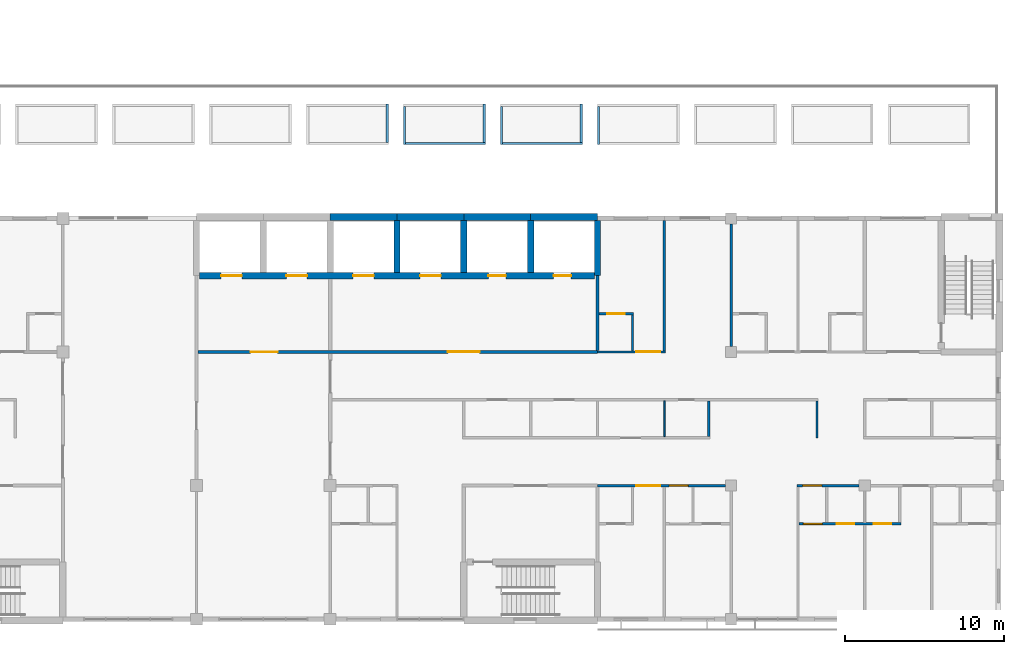
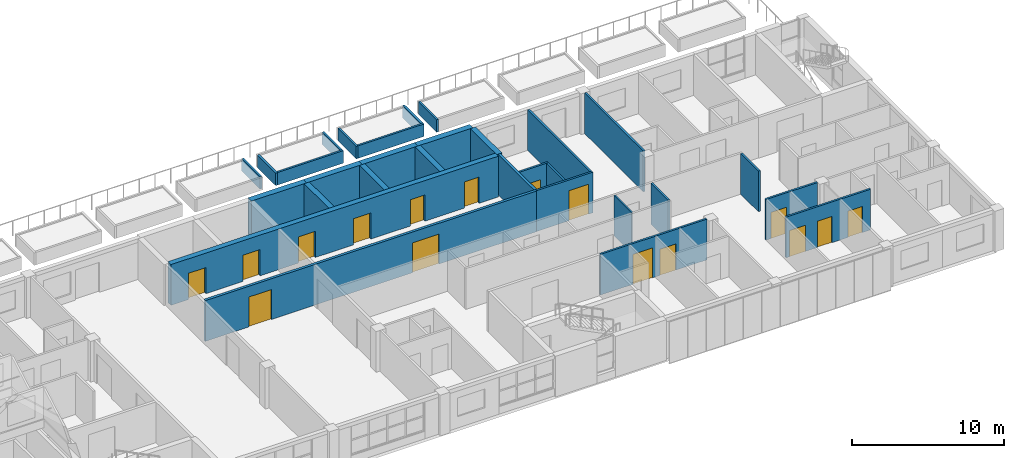
# One storey, part 45 of 61: 30 walls, 16 doors, 16 openings.
"""IFC4 building model written with IfcOpenShell, lengths in metres."""

from ifc_helpers import new_model, si_unit, direction, frame, frame_2d, origin, place, context, subcontext, project, spatial, rectangle, extrude, material, layer, layer_set, type_object, element, fill, save


model = new_model("IFC4")

# Units and contexts
model_context = context("Model", 3, precision=1e-05, world=origin(), true_north=direction((0.0, 1.0)))
body_context = subcontext(model_context, "Body", "Model", "MODEL_VIEW")
ifc_project = project(units=[si_unit("LENGTHUNIT", "METRE"), si_unit("AREAUNIT", "SQUARE_METRE"), si_unit("VOLUMEUNIT", "CUBIC_METRE"), si_unit("PLANEANGLEUNIT", "RADIAN"), si_unit("MASSUNIT", "GRAM", prefix="KILO")], contexts=[model_context])

# Site, building, storey
site_placement = place(None, origin())
site = spatial("IfcSite", under=ifc_project, at=site_placement, CompositionType="ELEMENT")
building_placement = place(site_placement, origin())
building = spatial("IfcBuilding", under=site, at=building_placement, Name="Yavir Park General Hospital", CompositionType="ELEMENT")
storey_placement = place(building_placement, frame((0.0, 0.0, 15.300048828125)))
storey = spatial("IfcBuildingStorey", under=building, at=storey_placement, Name="L03", CompositionType="ELEMENT", Elevation=15.300048828125)

# Wall, openings, doors
ifc_material_1 = material(Name="Double gypsum board fire partition on steel studs", Category="steel")
ifc_layer_1 = layer(ifc_material_1, 0.199951171875)
ifc_layer_set_1 = layer_set([ifc_layer_1], Name="Double gypsum board fire partition on steel studs")
wall_type_1 = type_object("IfcWallType", Name="Fire-rated partition 200, EI 60", PredefinedType="PARTITIONING", material=ifc_layer_set_1)
wall_1_placement = place(storey_placement, frame((117.699951171875, 16.800048828125, 0.0), z_axis=(0.0, 0.0, 1.0), x_axis=(1.0, 0.0, 0.0)))
wall_1 = element("IfcWall", 1, at=wall_1_placement, inside=storey, type_object=wall_type_1, Name="FP20 L03-046", PredefinedType="PARTITIONING", context=body_context, shape_type="SweptSolid", body=[
    extrude(rectangle(XDim=25.10009765625, YDim=0.199951171875, at=frame_2d((12.550048828125, 0.0))), origin(), (0.0, 0.0, 1.0), 3.260009765625),
])
opening_1_placement = place(wall_1_placement, frame((3.300048828125, 0.0, 0.0)))
opening_1 = element("IfcOpeningElement", 2, at=opening_1_placement, cuts=wall_1, Name="Opening L03.D059", PredefinedType="OPENING", context=body_context, shape_type="SweptSolid", body=[
    extrude(rectangle(XDim=1.699951171875, YDim=2.39990234375, at=frame_2d((0.85009765625, 1.199951171875))), frame((0.0, 0.10986328125, 0.0), z_axis=(0.0, -1.0, 0.0), x_axis=(1.0, 0.0, 0.0)), (0.0, 0.0, 1.0), 0.219970703125),
])
opening_2_placement = place(wall_1_placement, frame((15.699951171875, 0.0, 0.0)))
opening_2 = element("IfcOpeningElement", 3, at=opening_2_placement, cuts=wall_1, Name="Opening L03.D060", PredefinedType="OPENING", context=body_context, shape_type="SweptSolid", body=[
    extrude(rectangle(XDim=2.0, YDim=2.39990234375, at=frame_2d((1.0, 1.199951171875))), frame((0.0, 0.10986328125, 0.0), z_axis=(0.0, -1.0, 0.0), x_axis=(1.0, 0.0, 0.0)), (0.0, 0.0, 1.0), 0.219970703125),
])
ifc_material_2 = material(Name="Steel frame, fire-resisting timber leaves", Category="steel")
door_type_1 = type_object("IfcDoorType", Name="Double fire door 1700 x 2400, EI 60", OperationType="DOUBLE_DOOR_SINGLE_SWING", PredefinedType="DOOR", material=ifc_material_2)
door_1_placement = place(opening_1_placement, origin())
door_1 = element("IfcDoor", 4, at=door_1_placement, inside=storey, type_object=door_type_1, Name="L03.D059", OperationType="SINGLE_SWING_LEFT", OverallHeight=2.39990234375, OverallWidth=1.699951171875, PredefinedType="DOOR", context=body_context, shape_type="SweptSolid", body=[
    extrude(rectangle(XDim=1.699951171875, YDim=2.39990234375, at=frame_2d((0.85009765625, 1.199951171875))), frame((0.0, 0.02490234375, 0.0), z_axis=(0.0, -1.0, 0.0), x_axis=(1.0, 0.0, 0.0)), (0.0, 0.0, 1.0), 0.050048828125),
])
fill(opening_1, door_1)
ifc_material_3 = material(Name="Steel frame, fire-resisting leaves with vision panels", Category="steel")
door_type_2 = type_object("IfcDoorType", Name="Double fire door with vision panels 2000 x 2400, EI 60", OperationType="DOUBLE_DOOR_SINGLE_SWING", PredefinedType="DOOR", material=ifc_material_3)
door_2_placement = place(opening_2_placement, origin())
door_2 = element("IfcDoor", 5, at=door_2_placement, inside=storey, type_object=door_type_2, Name="L03.D060", OperationType="SINGLE_SWING_RIGHT", OverallHeight=2.39990234375, OverallWidth=2.0, PredefinedType="DOOR", context=body_context, shape_type="SweptSolid", body=[
    extrude(rectangle(XDim=2.0, YDim=2.39990234375, at=frame_2d((1.0, 1.199951171875))), frame((0.0, 0.030029296875, 0.0), z_axis=(0.0, -1.0, 0.0), x_axis=(1.0, 0.0, 0.0)), (0.0, 0.0, 1.0), 0.06005859375),
])
fill(opening_2, door_2)

# Walls
wall_2_placement = place(storey_placement, frame((142.800048828125, 16.89990234375, 0.0), z_axis=(0.0, 0.0, 1.0), x_axis=(0.0, 1.0, 0.0)))
element("IfcWall", 6, at=wall_2_placement, inside=storey, type_object=wall_type_1, Name="FP20 L03-273", PredefinedType="PARTITIONING", context=body_context, shape_type="SweptSolid", body=[
    extrude(rectangle(XDim=4.7001953125, YDim=0.199951171875, at=frame_2d((2.35009765625, 0.0))), origin(), (0.0, 0.0, 1.0), 3.260009765625),
])
ifc_material_4 = material(Name="Gypsum board partition on steel studs", Category="steel")
ifc_layer_2 = layer(ifc_material_4, 0.10009765625)
ifc_layer_set_2 = layer_set([ifc_layer_2], Name="Gypsum board partition on steel studs")
wall_type_2 = type_object("IfcWallType", Name="Gypsum board partition 100", PredefinedType="PARTITIONING", material=ifc_layer_set_2)
wall_3_placement = place(storey_placement, frame((147.0, 11.47509765625, 0.0), z_axis=(0.0, 0.0, 1.0), x_axis=(0.0, 1.0, 0.0)))
element("IfcWall", 7, at=wall_3_placement, inside=storey, type_object=wall_type_2, Name="P10 L03-278", PredefinedType="PARTITIONING", context=body_context, shape_type="SweptSolid", body=[
    extrude(rectangle(XDim=2.25, YDim=0.10009765625, at=frame_2d((1.125, 0.0))), origin(), (0.0, 0.0, 1.0), 3.260009765625),
])

# Wall, openings, doors
ifc_material_5 = material(Name="Gypsum board partition on steel studs", Category="steel")
ifc_layer_3 = layer(ifc_material_5, 0.14990234375)
ifc_layer_set_3 = layer_set([ifc_layer_3], Name="Gypsum board partition on steel studs")
wall_type_3 = type_object("IfcWallType", Name="Gypsum board partition 150", PredefinedType="PARTITIONING", material=ifc_layer_set_3)
wall_4_placement = place(storey_placement, frame((155.47509765625, 6.0, 0.0), z_axis=(0.0, 0.0, 1.0), x_axis=(1.0, 0.0, 0.0)))
wall_4 = element("IfcWall", 8, at=wall_4_placement, inside=storey, type_object=wall_type_3, Name="P15 L03-012", PredefinedType="PARTITIONING", context=body_context, shape_type="SweptSolid", body=[
    extrude(rectangle(XDim=6.39990234375, YDim=0.14990234375, at=frame_2d((3.199951171875, 0.0))), origin(), (0.0, 0.0, 1.0), 3.260009765625),
])
opening_3_placement = place(wall_4_placement, frame((0.262451171875, 0.0, 0.0)))
opening_3 = element("IfcOpeningElement", 9, at=opening_3_placement, cuts=wall_4, Name="Opening L03.D015", PredefinedType="OPENING", context=body_context, shape_type="SweptSolid", body=[
    extrude(rectangle(XDim=1.199951171875, YDim=2.10009765625, at=frame_2d((0.60009765625, 1.050048828125))), frame((0.0, 0.0849609375, 0.0), z_axis=(0.0, -1.0, 0.0), x_axis=(1.0, 0.0, 0.0)), (0.0, 0.0, 1.0), 0.169921875),
])
opening_4_placement = place(wall_4_placement, frame((2.375, 0.0, 0.0)))
opening_4 = element("IfcOpeningElement", 10, at=opening_4_placement, cuts=wall_4, Name="Opening L03.D016", PredefinedType="OPENING", context=body_context, shape_type="SweptSolid", body=[
    extrude(rectangle(XDim=1.10009765625, YDim=2.10009765625, at=frame_2d((0.550048828125, 1.050048828125))), frame((0.0, 0.0849609375, 0.0), z_axis=(0.0, -1.0, 0.0), x_axis=(1.0, 0.0, 0.0)), (0.0, 0.0, 1.0), 0.169921875),
])
opening_5_placement = place(wall_4_placement, frame((4.675048828125, 0.0, 0.0)))
opening_5 = element("IfcOpeningElement", 11, at=opening_5_placement, cuts=wall_4, Name="Opening L03.D017", PredefinedType="OPENING", context=body_context, shape_type="SweptSolid", body=[
    extrude(rectangle(XDim=1.10009765625, YDim=2.10009765625, at=frame_2d((0.550048828125, 1.050048828125))), frame((0.0, 0.0849609375, 0.0), z_axis=(0.0, -1.0, 0.0), x_axis=(1.0, 0.0, 0.0)), (0.0, 0.0, 1.0), 0.169921875),
])
ifc_material_6 = material(Name="Sealed steel door leaf, compression seals", Category="steel")
door_type_3 = type_object("IfcDoorType", Name="Isolation airlock door 1200 x 2100", OperationType="SINGLE_SWING_LEFT", PredefinedType="DOOR", material=ifc_material_6)
door_3_placement = place(opening_3_placement, origin())
door_3 = element("IfcDoor", 12, at=door_3_placement, inside=storey, type_object=door_type_3, Name="L03.D015", OperationType="SINGLE_SWING_LEFT", OverallHeight=2.10009765625, OverallWidth=1.199951171875, PredefinedType="DOOR", context=body_context, shape_type="SweptSolid", body=[
    extrude(rectangle(XDim=1.199951171875, YDim=2.10009765625, at=frame_2d((0.60009765625, 1.050048828125))), frame((0.0, 0.050048828125, 0.0), z_axis=(0.0, -1.0, 0.0), x_axis=(1.0, 0.0, 0.0)), (0.0, 0.0, 1.0), 0.10009765625),
])
fill(opening_3, door_3)
ifc_material_7 = material(Name="Hollow metal frame, solid-core timber leaf", Category="wood")
door_type_4 = type_object("IfcDoorType", Name="Single swing door 1100 x 2100", OperationType="SINGLE_SWING_LEFT", PredefinedType="DOOR", material=ifc_material_7)
door_4_placement = place(opening_4_placement, origin())
door_4 = element("IfcDoor", 13, at=door_4_placement, inside=storey, type_object=door_type_4, Name="L03.D016", OperationType="SINGLE_SWING_RIGHT", OverallHeight=2.10009765625, OverallWidth=1.10009765625, PredefinedType="DOOR", context=body_context, shape_type="SweptSolid", body=[
    extrude(rectangle(XDim=1.10009765625, YDim=2.10009765625, at=frame_2d((0.550048828125, 1.050048828125))), frame((0.0, 0.02490234375, 0.0), z_axis=(0.0, -1.0, 0.0), x_axis=(1.0, 0.0, 0.0)), (0.0, 0.0, 1.0), 0.050048828125),
])
fill(opening_4, door_4)
door_5_placement = place(opening_5_placement, origin())
door_5 = element("IfcDoor", 14, at=door_5_placement, inside=storey, type_object=door_type_4, Name="L03.D017", OperationType="SINGLE_SWING_LEFT", OverallHeight=2.10009765625, OverallWidth=1.10009765625, PredefinedType="DOOR", context=body_context, shape_type="SweptSolid", body=[
    extrude(rectangle(XDim=1.10009765625, YDim=2.10009765625, at=frame_2d((0.550048828125, 1.050048828125))), frame((0.0, 0.02490234375, 0.0), z_axis=(0.0, -1.0, 0.0), x_axis=(1.0, 0.0, 0.0)), (0.0, 0.0, 1.0), 0.050048828125),
])
fill(opening_5, door_5)

wall_5_placement = place(storey_placement, frame((142.800048828125, 8.39990234375, 0.0), z_axis=(0.0, 0.0, 1.0), x_axis=(1.0, 0.0, 0.0)))
wall_5 = element("IfcWall", 15, at=wall_5_placement, inside=storey, type_object=wall_type_3, Name="P15 L03-026", PredefinedType="PARTITIONING", context=body_context, shape_type="SweptSolid", body=[
    extrude(rectangle(XDim=8.050048828125, YDim=0.14990234375, at=frame_2d((4.02490234375, 0.0))), origin(), (0.0, 0.0, 1.0), 3.260009765625),
])
opening_6_placement = place(wall_5_placement, frame((2.449951171875, 0.0, 0.0)))
opening_6 = element("IfcOpeningElement", 16, at=opening_6_placement, cuts=wall_5, Name="Opening L03.D034", PredefinedType="OPENING", context=body_context, shape_type="SweptSolid", body=[
    extrude(rectangle(XDim=1.5, YDim=2.39990234375, at=frame_2d((0.75, 1.199951171875))), frame((0.0, 0.0849609375, 0.0), z_axis=(0.0, -1.0, 0.0), x_axis=(1.0, 0.0, 0.0)), (0.0, 0.0, 1.0), 0.169921875),
])
opening_7_placement = place(wall_5_placement, frame((4.5, 0.0, 0.0)))
opening_7 = element("IfcOpeningElement", 17, at=opening_7_placement, cuts=wall_5, Name="Opening L03.D035", PredefinedType="OPENING", context=body_context, shape_type="SweptSolid", body=[
    extrude(rectangle(XDim=1.199951171875, YDim=2.10009765625, at=frame_2d((0.60009765625, 1.050048828125))), frame((0.0, 0.0849609375, 0.0), z_axis=(0.0, -1.0, 0.0), x_axis=(1.0, 0.0, 0.0)), (0.0, 0.0, 1.0), 0.169921875),
])
ifc_material_8 = material(Name="Solid-core timber leaves, push plates, kick plates", Category="wood")
door_type_5 = type_object("IfcDoorType", Name="Bed door, unequal leaves 1500 x 2400", OperationType="DOUBLE_DOOR_SINGLE_SWING", PredefinedType="DOOR", material=ifc_material_8)
door_6_placement = place(opening_6_placement, origin())
door_6 = element("IfcDoor", 18, at=door_6_placement, inside=storey, type_object=door_type_5, Name="L03.D034", OperationType="SINGLE_SWING_LEFT", OverallHeight=2.39990234375, OverallWidth=1.5, PredefinedType="DOOR", context=body_context, shape_type="SweptSolid", body=[
    extrude(rectangle(XDim=1.5, YDim=2.39990234375, at=frame_2d((0.75, 1.199951171875))), frame((0.0, 0.030029296875, 0.0), z_axis=(0.0, -1.0, 0.0), x_axis=(1.0, 0.0, 0.0)), (0.0, 0.0, 1.0), 0.06005859375),
])
fill(opening_6, door_6)
door_7_placement = place(opening_7_placement, origin())
door_7 = element("IfcDoor", 19, at=door_7_placement, inside=storey, type_object=door_type_3, Name="L03.D035", OperationType="SINGLE_SWING_LEFT", OverallHeight=2.10009765625, OverallWidth=1.199951171875, PredefinedType="DOOR", context=body_context, shape_type="SweptSolid", body=[
    extrude(rectangle(XDim=1.199951171875, YDim=2.10009765625, at=frame_2d((0.60009765625, 1.050048828125))), frame((0.0, 0.050048828125, 0.0), z_axis=(0.0, -1.0, 0.0), x_axis=(1.0, 0.0, 0.0)), (0.0, 0.0, 1.0), 0.10009765625),
])
fill(opening_7, door_7)

# Wall, opening, door
wall_6_placement = place(storey_placement, frame((155.324951171875, 8.39990234375, 0.0), z_axis=(0.0, 0.0, 1.0), x_axis=(1.0, 0.0, 0.0)))
wall_6 = element("IfcWall", 20, at=wall_6_placement, inside=storey, type_object=wall_type_3, Name="P15 L03-027", PredefinedType="PARTITIONING", context=body_context, shape_type="SweptSolid", body=[
    extrude(rectangle(XDim=3.925048828125, YDim=0.14990234375, at=frame_2d((1.96240234375, 0.0))), origin(), (0.0, 0.0, 1.0), 3.260009765625),
])
opening_8_placement = place(wall_6_placement, frame((0.375, 0.0, 0.0)))
opening_8 = element("IfcOpeningElement", 21, at=opening_8_placement, cuts=wall_6, Name="Opening L03.D036", PredefinedType="OPENING", context=body_context, shape_type="SweptSolid", body=[
    extrude(rectangle(XDim=1.199951171875, YDim=2.10009765625, at=frame_2d((0.60009765625, 1.050048828125))), frame((0.0, 0.0849609375, 0.0), z_axis=(0.0, -1.0, 0.0), x_axis=(1.0, 0.0, 0.0)), (0.0, 0.0, 1.0), 0.169921875),
])
door_8_placement = place(opening_8_placement, origin())
door_8 = element("IfcDoor", 22, at=door_8_placement, inside=storey, type_object=door_type_3, Name="L03.D036", OperationType="SINGLE_SWING_LEFT", OverallHeight=2.10009765625, OverallWidth=1.199951171875, PredefinedType="DOOR", context=body_context, shape_type="SweptSolid", body=[
    extrude(rectangle(XDim=1.199951171875, YDim=2.10009765625, at=frame_2d((0.60009765625, 1.050048828125))), frame((0.0, 0.050048828125, 0.0), z_axis=(0.0, -1.0, 0.0), x_axis=(1.0, 0.0, 0.0)), (0.0, 0.0, 1.0), 0.10009765625),
])
fill(opening_8, door_8)

wall_7_placement = place(storey_placement, frame((142.800048828125, 16.800048828125, 0.0), z_axis=(0.0, 0.0, 1.0), x_axis=(1.0, 0.0, 0.0)))
wall_7 = element("IfcWall", 23, at=wall_7_placement, inside=storey, type_object=wall_type_3, Name="P15 L03-047", PredefinedType="PARTITIONING", context=body_context, shape_type="SweptSolid", body=[
    extrude(rectangle(XDim=4.27490234375, YDim=0.14990234375, at=frame_2d((2.137451171875, 0.0))), origin(), (0.0, 0.0, 1.0), 3.260009765625),
])
opening_9_placement = place(wall_7_placement, frame((2.449951171875, 0.0, 0.0)))
opening_9 = element("IfcOpeningElement", 24, at=opening_9_placement, cuts=wall_7, Name="Opening L03.D061", PredefinedType="OPENING", context=body_context, shape_type="SweptSolid", body=[
    extrude(rectangle(XDim=1.5, YDim=2.39990234375, at=frame_2d((0.75, 1.199951171875))), frame((0.0, 0.0849609375, 0.0), z_axis=(0.0, -1.0, 0.0), x_axis=(1.0, 0.0, 0.0)), (0.0, 0.0, 1.0), 0.169921875),
])
door_9_placement = place(opening_9_placement, origin())
door_9 = element("IfcDoor", 25, at=door_9_placement, inside=storey, type_object=door_type_5, Name="L03.D061", OperationType="SINGLE_SWING_RIGHT", OverallHeight=2.39990234375, OverallWidth=1.5, PredefinedType="DOOR", context=body_context, shape_type="SweptSolid", body=[
    extrude(rectangle(XDim=1.5, YDim=2.39990234375, at=frame_2d((0.75, 1.199951171875))), frame((0.0, 0.030029296875, 0.0), z_axis=(0.0, -1.0, 0.0), x_axis=(1.0, 0.0, 0.0)), (0.0, 0.0, 1.0), 0.06005859375),
])
fill(opening_9, door_9)

wall_8_placement = place(storey_placement, frame((142.89990234375, 19.199951171875, 0.0), z_axis=(0.0, 0.0, 1.0), x_axis=(1.0, 0.0, 0.0)))
wall_8 = element("IfcWall", 26, at=wall_8_placement, inside=storey, type_object=wall_type_3, Name="P15 L03-055", PredefinedType="PARTITIONING", context=body_context, shape_type="SweptSolid", body=[
    extrude(rectangle(XDim=2.175048828125, YDim=0.14990234375, at=frame_2d((1.08740234375, 0.0))), origin(), (0.0, 0.0, 1.0), 3.260009765625),
])
opening_10_placement = place(wall_8_placement, frame((0.5, 0.0, 0.0)))
opening_10 = element("IfcOpeningElement", 27, at=opening_10_placement, cuts=wall_8, Name="Opening L03.D068", PredefinedType="OPENING", context=body_context, shape_type="SweptSolid", body=[
    extrude(rectangle(XDim=1.10009765625, YDim=2.10009765625, at=frame_2d((0.550048828125, 1.050048828125))), frame((0.0, 0.0849609375, 0.0), z_axis=(0.0, -1.0, 0.0), x_axis=(1.0, 0.0, 0.0)), (0.0, 0.0, 1.0), 0.169921875),
])
door_10_placement = place(opening_10_placement, origin())
door_10 = element("IfcDoor", 28, at=door_10_placement, inside=storey, type_object=door_type_4, Name="L03.D068", OperationType="SINGLE_SWING_RIGHT", OverallHeight=2.10009765625, OverallWidth=1.10009765625, PredefinedType="DOOR", context=body_context, shape_type="SweptSolid", body=[
    extrude(rectangle(XDim=1.10009765625, YDim=2.10009765625, at=frame_2d((0.550048828125, 1.050048828125))), frame((0.0, 0.02490234375, 0.0), z_axis=(0.0, -1.0, 0.0), x_axis=(1.0, 0.0, 0.0)), (0.0, 0.0, 1.0), 0.050048828125),
])
fill(opening_10, door_10)

# Walls
wall_9_placement = place(storey_placement, frame((145.0, 16.875, 0.0), z_axis=(0.0, 0.0, 1.0), x_axis=(0.0, 1.0, 0.0)))
element("IfcWall", 29, at=wall_9_placement, inside=storey, type_object=wall_type_3, Name="P15 L03-276", PredefinedType="PARTITIONING", context=body_context, shape_type="SweptSolid", body=[
    extrude(rectangle(XDim=2.25, YDim=0.14990234375, at=frame_2d((1.125, 0.0))), origin(), (0.0, 0.0, 1.0), 3.260009765625),
])
wall_10_placement = place(storey_placement, frame((147.0, 16.875, 0.0), z_axis=(0.0, 0.0, 1.0), x_axis=(0.0, 1.0, 0.0)))
element("IfcWall", 30, at=wall_10_placement, inside=storey, type_object=wall_type_3, Name="P15 L03-279", PredefinedType="PARTITIONING", context=body_context, shape_type="SweptSolid", body=[
    extrude(rectangle(XDim=8.175048828125, YDim=0.14990234375, at=frame_2d((4.08740234375, 0.0))), origin(), (0.0, 0.0, 1.0), 3.260009765625),
])
wall_11_placement = place(storey_placement, frame((149.800048828125, 11.47509765625, 0.0), z_axis=(0.0, 0.0, 1.0), x_axis=(0.0, 1.0, 0.0)))
element("IfcWall", 31, at=wall_11_placement, inside=storey, type_object=wall_type_3, Name="P15 L03-281", PredefinedType="PARTITIONING", context=body_context, shape_type="SweptSolid", body=[
    extrude(rectangle(XDim=2.25, YDim=0.14990234375, at=frame_2d((1.125, 0.0))), origin(), (0.0, 0.0, 1.0), 3.260009765625),
])
wall_12_placement = place(storey_placement, frame((151.199951171875, 17.14990234375, 0.0), z_axis=(0.0, 0.0, 1.0), x_axis=(0.0, 1.0, 0.0)))
element("IfcWall", 32, at=wall_12_placement, inside=storey, type_object=wall_type_3, Name="P15 L03-283", PredefinedType="PARTITIONING", context=body_context, shape_type="SweptSolid", body=[
    extrude(rectangle(XDim=7.7001953125, YDim=0.14990234375, at=frame_2d((3.85009765625, 0.0))), origin(), (0.0, 0.0, 1.0), 3.260009765625),
])
wall_13_placement = place(storey_placement, frame((156.60009765625, 11.39990234375, 0.0), z_axis=(0.0, 0.0, 1.0), x_axis=(0.0, 1.0, 0.0)))
element("IfcWall", 33, at=wall_13_placement, inside=storey, type_object=wall_type_3, Name="P15 L03-287", PredefinedType="PARTITIONING", context=body_context, shape_type="SweptSolid", body=[
    extrude(rectangle(XDim=2.3251953125, YDim=0.14990234375, at=frame_2d((1.16259765625, 0.0))), origin(), (0.0, 0.0, 1.0), 3.260009765625),
])
ifc_material_9 = material(Name="Concrete C30/37", Category="concrete")
ifc_layer_4 = layer(ifc_material_9, 0.14990234375)
ifc_layer_set_4 = layer_set([ifc_layer_4], Name="Concrete C30/37")
wall_type_4 = type_object("IfcWallType", Name="Planter upstand 150 x 1000", PredefinedType="STANDARD", material=ifc_layer_set_4)
wall_14_placement = place(storey_placement, frame((129.578369140625, 29.97509765625, 0.0), z_axis=(0.0, 0.0, 1.0), x_axis=(0.0, 1.0, 0.0)))
element("IfcWall", 34, at=wall_14_placement, inside=storey, type_object=wall_type_4, Name="Planter upstand 17.2", PredefinedType="STANDARD", context=body_context, shape_type="SweptSolid", body=[
    extrude(rectangle(XDim=2.39990234375, YDim=0.14990234375, at=frame_2d((1.199951171875, 0.0))), origin(), (0.0, 0.0, 1.0), 1.0),
])
wall_15_placement = place(storey_placement, frame((130.748779296875, 29.89990234375, 0.0), z_axis=(0.0, 0.0, 1.0), x_axis=(1.0, 0.0, 0.0)))
element("IfcWall", 35, at=wall_15_placement, inside=storey, type_object=wall_type_4, Name="Planter upstand 18.1", PredefinedType="STANDARD", context=body_context, shape_type="SweptSolid", body=[
    extrude(rectangle(XDim=5.0, YDim=0.14990234375, at=frame_2d((2.5, 0.0))), origin(), (0.0, 0.0, 1.0), 1.0),
])
wall_16_placement = place(storey_placement, frame((135.673828125, 29.97509765625, 0.0), z_axis=(0.0, 0.0, 1.0), x_axis=(0.0, 1.0, 0.0)))
element("IfcWall", 36, at=wall_16_placement, inside=storey, type_object=wall_type_4, Name="Planter upstand 18.2", PredefinedType="STANDARD", context=body_context, shape_type="SweptSolid", body=[
    extrude(rectangle(XDim=2.39990234375, YDim=0.14990234375, at=frame_2d((1.199951171875, 0.0))), origin(), (0.0, 0.0, 1.0), 1.0),
])
wall_17_placement = place(storey_placement, frame((130.673828125, 32.22509765625, 0.0), z_axis=(0.0, 0.0, 1.0), x_axis=(0.0, -1.0, 0.0)))
element("IfcWall", 37, at=wall_17_placement, inside=storey, type_object=wall_type_4, Name="Planter upstand 18.4", PredefinedType="STANDARD", context=body_context, shape_type="SweptSolid", body=[
    extrude(rectangle(XDim=2.400146484375, YDim=0.14990234375, at=frame_2d((1.2001953125, 0.0))), origin(), (0.0, 0.0, 1.0), 1.0),
])
wall_18_placement = place(storey_placement, frame((136.844482421875, 29.89990234375, 0.0), z_axis=(0.0, 0.0, 1.0), x_axis=(1.0, 0.0, 0.0)))
element("IfcWall", 38, at=wall_18_placement, inside=storey, type_object=wall_type_4, Name="Planter upstand 19.1", PredefinedType="STANDARD", context=body_context, shape_type="SweptSolid", body=[
    extrude(rectangle(XDim=5.0, YDim=0.14990234375, at=frame_2d((2.5, 0.0))), origin(), (0.0, 0.0, 1.0), 1.0),
])
wall_19_placement = place(storey_placement, frame((141.76953125, 29.97509765625, 0.0), z_axis=(0.0, 0.0, 1.0), x_axis=(0.0, 1.0, 0.0)))
element("IfcWall", 39, at=wall_19_placement, inside=storey, type_object=wall_type_4, Name="Planter upstand 19.2", PredefinedType="STANDARD", context=body_context, shape_type="SweptSolid", body=[
    extrude(rectangle(XDim=2.39990234375, YDim=0.14990234375, at=frame_2d((1.199951171875, 0.0))), origin(), (0.0, 0.0, 1.0), 1.0),
])
for number, where, z_axis, x_axis, name in (
    (40, (136.76953125, 32.22509765625, 0.0), (0.0, 0.0, 1.0), (0.0, -1.0, 0.0), "Planter upstand 19.4"),
    (41, (142.865234375, 32.22509765625, 0.0), (0.0, 0.0, 1.0), (0.0, -1.0, 0.0), "Planter upstand 20.4"),
):
    element("IfcWall", number, at=place(storey_placement, frame(where, z_axis=z_axis, x_axis=x_axis)), inside=storey, type_object=wall_type_4, Name=name, PredefinedType="STANDARD", context=body_context, shape_type="SweptSolid", body=[
        extrude(rectangle(XDim=2.400146484375, YDim=0.14990234375, at=frame_2d((1.2001953125, 0.0))), origin(), (0.0, 0.0, 1.0), 1.0),
    ])

# Wall, openings, doors
ifc_material_10 = material(Name="Concrete C35/45", Category="concrete")
ifc_layer_5 = layer(ifc_material_10, 0.39990234375)
ifc_layer_set_5 = layer_set([ifc_layer_5], Name="Concrete C35/45")
wall_type_5 = type_object("IfcWallType", Name="Reinforced concrete core wall 400, REI 150", PredefinedType="SHEAR", material=ifc_layer_set_5)
wall_20_placement = place(storey_placement, frame((117.800048828125, 21.60009765625, 0.0), z_axis=(0.0, 0.0, 1.0), x_axis=(1.0, 0.0, 0.0)))
wall_20 = element("IfcWall", 42, at=wall_20_placement, inside=storey, type_object=wall_type_5, Name="CW40 L03-059", PredefinedType="SHEAR", context=body_context, shape_type="SweptSolid", body=[
    extrude(rectangle(XDim=24.800048828125, YDim=0.39990234375, at=frame_2d((12.39990234375, 0.0))), origin(), (0.0, 0.0, 1.0), 3.260009765625),
])
opening_11_placement = place(wall_20_placement, frame((1.35009765625, 0.0, 0.0)))
opening_11 = element("IfcOpeningElement", 43, at=opening_11_placement, cuts=wall_20, Name="Opening L03.D073", PredefinedType="OPENING", context=body_context, shape_type="SweptSolid", body=[
    extrude(rectangle(XDim=1.300048828125, YDim=2.10009765625, at=frame_2d((0.64990234375, 1.050048828125))), frame((0.0, 0.2099609375, 0.0), z_axis=(0.0, -1.0, 0.0), x_axis=(1.0, 0.0, 0.0)), (0.0, 0.0, 1.0), 0.419921875),
])
opening_12_placement = place(wall_20_placement, frame((5.449951171875, 0.0, 0.0)))
opening_12 = element("IfcOpeningElement", 44, at=opening_12_placement, cuts=wall_20, Name="Opening L03.D074", PredefinedType="OPENING", context=body_context, shape_type="SweptSolid", body=[
    extrude(rectangle(XDim=1.300048828125, YDim=2.10009765625, at=frame_2d((0.64990234375, 1.050048828125))), frame((0.0, 0.2099609375, 0.0), z_axis=(0.0, -1.0, 0.0), x_axis=(1.0, 0.0, 0.0)), (0.0, 0.0, 1.0), 0.419921875),
])
opening_13_placement = place(wall_20_placement, frame((9.64990234375, 0.0, 0.0)))
opening_13 = element("IfcOpeningElement", 45, at=opening_13_placement, cuts=wall_20, Name="Opening L03.D075", PredefinedType="OPENING", context=body_context, shape_type="SweptSolid", body=[
    extrude(rectangle(XDim=1.300048828125, YDim=2.10009765625, at=frame_2d((0.64990234375, 1.050048828125))), frame((0.0, 0.2099609375, 0.0), z_axis=(0.0, -1.0, 0.0), x_axis=(1.0, 0.0, 0.0)), (0.0, 0.0, 1.0), 0.419921875),
])
opening_14_placement = place(wall_20_placement, frame((13.85009765625, 0.0, 0.0)))
opening_14 = element("IfcOpeningElement", 46, at=opening_14_placement, cuts=wall_20, Name="Opening L03.D076", PredefinedType="OPENING", context=body_context, shape_type="SweptSolid", body=[
    extrude(rectangle(XDim=1.300048828125, YDim=2.10009765625, at=frame_2d((0.64990234375, 1.050048828125))), frame((0.0, 0.2099609375, 0.0), z_axis=(0.0, -1.0, 0.0), x_axis=(1.0, 0.0, 0.0)), (0.0, 0.0, 1.0), 0.419921875),
])
opening_15_placement = place(wall_20_placement, frame((18.14990234375, 0.0, 0.0)))
opening_15 = element("IfcOpeningElement", 47, at=opening_15_placement, cuts=wall_20, Name="Opening L03.D077", PredefinedType="OPENING", context=body_context, shape_type="SweptSolid", body=[
    extrude(rectangle(XDim=1.10009765625, YDim=2.10009765625, at=frame_2d((0.550048828125, 1.050048828125))), frame((0.0, 0.2099609375, 0.0), z_axis=(0.0, -1.0, 0.0), x_axis=(1.0, 0.0, 0.0)), (0.0, 0.0, 1.0), 0.419921875),
])
opening_16_placement = place(wall_20_placement, frame((22.25, 0.0, 0.0)))
opening_16 = element("IfcOpeningElement", 48, at=opening_16_placement, cuts=wall_20, Name="Opening L03.D078", PredefinedType="OPENING", context=body_context, shape_type="SweptSolid", body=[
    extrude(rectangle(XDim=1.10009765625, YDim=2.10009765625, at=frame_2d((0.550048828125, 1.050048828125))), frame((0.0, 0.2099609375, 0.0), z_axis=(0.0, -1.0, 0.0), x_axis=(1.0, 0.0, 0.0)), (0.0, 0.0, 1.0), 0.419921875),
])
ifc_material_11 = material(Name="Stainless steel landing door panels", Category="steel")
door_type_6 = type_object("IfcDoorType", Name="Lift landing door 1100 x 2100, EI 60", OperationType="SLIDING_TO_LEFT", PredefinedType="DOOR", material=ifc_material_11)
door_11_placement = place(opening_15_placement, origin())
door_11 = element("IfcDoor", 49, at=door_11_placement, inside=storey, type_object=door_type_6, Name="L03.D077", OperationType="SLIDING_TO_LEFT", OverallHeight=2.10009765625, OverallWidth=1.10009765625, PredefinedType="DOOR", context=body_context, shape_type="SweptSolid", body=[
    extrude(rectangle(XDim=1.10009765625, YDim=2.10009765625, at=frame_2d((0.550048828125, 1.050048828125))), frame((0.0, 0.02490234375, 0.0), z_axis=(0.0, -1.0, 0.0), x_axis=(1.0, 0.0, 0.0)), (0.0, 0.0, 1.0), 0.050048828125),
])
fill(opening_15, door_11)
door_12_placement = place(opening_16_placement, origin())
door_12 = element("IfcDoor", 50, at=door_12_placement, inside=storey, type_object=door_type_6, Name="L03.D078", OperationType="SLIDING_TO_LEFT", OverallHeight=2.10009765625, OverallWidth=1.10009765625, PredefinedType="DOOR", context=body_context, shape_type="SweptSolid", body=[
    extrude(rectangle(XDim=1.10009765625, YDim=2.10009765625, at=frame_2d((0.550048828125, 1.050048828125))), frame((0.0, 0.02490234375, 0.0), z_axis=(0.0, -1.0, 0.0), x_axis=(1.0, 0.0, 0.0)), (0.0, 0.0, 1.0), 0.050048828125),
])
fill(opening_16, door_12)
ifc_material_12 = material(Name="Stainless steel landing door panels", Category="steel")
door_type_7 = type_object("IfcDoorType", Name="Lift landing door 1300 x 2100, EI 60", OperationType="SLIDING_TO_LEFT", PredefinedType="DOOR", material=ifc_material_12)
door_13_placement = place(opening_11_placement, origin())
door_13 = element("IfcDoor", 51, at=door_13_placement, inside=storey, type_object=door_type_7, Name="L03.D073", OperationType="SLIDING_TO_LEFT", OverallHeight=2.10009765625, OverallWidth=1.300048828125, PredefinedType="DOOR", context=body_context, shape_type="SweptSolid", body=[
    extrude(rectangle(XDim=1.300048828125, YDim=2.10009765625, at=frame_2d((0.64990234375, 1.050048828125))), frame((0.0, 0.02490234375, 0.0), z_axis=(0.0, -1.0, 0.0), x_axis=(1.0, 0.0, 0.0)), (0.0, 0.0, 1.0), 0.050048828125),
])
fill(opening_11, door_13)
door_14_placement = place(opening_12_placement, origin())
door_14 = element("IfcDoor", 52, at=door_14_placement, inside=storey, type_object=door_type_7, Name="L03.D074", OperationType="SLIDING_TO_LEFT", OverallHeight=2.10009765625, OverallWidth=1.300048828125, PredefinedType="DOOR", context=body_context, shape_type="SweptSolid", body=[
    extrude(rectangle(XDim=1.300048828125, YDim=2.10009765625, at=frame_2d((0.64990234375, 1.050048828125))), frame((0.0, 0.02490234375, 0.0), z_axis=(0.0, -1.0, 0.0), x_axis=(1.0, 0.0, 0.0)), (0.0, 0.0, 1.0), 0.050048828125),
])
fill(opening_12, door_14)
door_15_placement = place(opening_13_placement, origin())
door_15 = element("IfcDoor", 53, at=door_15_placement, inside=storey, type_object=door_type_7, Name="L03.D075", OperationType="SLIDING_TO_LEFT", OverallHeight=2.10009765625, OverallWidth=1.300048828125, PredefinedType="DOOR", context=body_context, shape_type="SweptSolid", body=[
    extrude(rectangle(XDim=1.300048828125, YDim=2.10009765625, at=frame_2d((0.64990234375, 1.050048828125))), frame((0.0, 0.02490234375, 0.0), z_axis=(0.0, -1.0, 0.0), x_axis=(1.0, 0.0, 0.0)), (0.0, 0.0, 1.0), 0.050048828125),
])
fill(opening_13, door_15)
door_16_placement = place(opening_14_placement, origin())
door_16 = element("IfcDoor", 54, at=door_16_placement, inside=storey, type_object=door_type_7, Name="L03.D076", OperationType="SLIDING_TO_LEFT", OverallHeight=2.10009765625, OverallWidth=1.300048828125, PredefinedType="DOOR", context=body_context, shape_type="SweptSolid", body=[
    extrude(rectangle(XDim=1.300048828125, YDim=2.10009765625, at=frame_2d((0.64990234375, 1.050048828125))), frame((0.0, 0.02490234375, 0.0), z_axis=(0.0, -1.0, 0.0), x_axis=(1.0, 0.0, 0.0)), (0.0, 0.0, 1.0), 0.050048828125),
])
fill(opening_14, door_16)

# Walls
for number, where, z_axis, x_axis, name in (
    (55, (130.199951171875, 21.800048828125, 0.0), (0.0, 0.0, 1.0), (0.0, 1.0, 0.0), "CW40 L03-263"),
    (56, (134.39990234375, 21.800048828125, 0.0), (0.0, 0.0, 1.0), (0.0, 1.0, 0.0), "CW40 L03-267"),
    (57, (138.60009765625, 21.800048828125, 0.0), (0.0, 0.0, 1.0), (0.0, 1.0, 0.0), "CW40 L03-269"),
):
    element("IfcWall", number, at=place(storey_placement, frame(where, z_axis=z_axis, x_axis=x_axis)), inside=storey, type_object=wall_type_5, Name=name, PredefinedType="SHEAR", context=body_context, shape_type="SweptSolid", body=[
        extrude(rectangle(XDim=3.25, YDim=0.39990234375, at=frame_2d((1.625, 0.0))), origin(), (0.0, 0.0, 1.0), 3.260009765625),
    ])
wall_21_placement = place(storey_placement, frame((142.800048828125, 21.60009765625, 0.0), z_axis=(0.0, 0.0, 1.0), x_axis=(0.0, 1.0, 0.0)))
element("IfcWall", 58, at=wall_21_placement, inside=storey, type_object=wall_type_5, Name="CW40 L03-274", PredefinedType="SHEAR", context=body_context, shape_type="SweptSolid", body=[
    extrude(rectangle(XDim=3.449951171875, YDim=0.39990234375, at=frame_2d((1.72509765625, 0.0))), origin(), (0.0, 0.0, 1.0), 3.260009765625),
])
ifc_material_13 = material(Name="Concrete C30/37 precast panel with 150 mm mineral wool insulation", Category="concrete")
ifc_layer_6 = layer(ifc_material_13, 0.449951171875)
ifc_layer_set_6 = layer_set([ifc_layer_6], Name="Concrete C30/37 precast panel with 150 mm mineral wool insulation")
wall_type_6 = type_object("IfcWallType", Name="Stair enclosure wall 450, REI 150", PredefinedType="SOLIDWALL", material=ifc_layer_set_6)
for number, where, z_axis, x_axis, name in (
    (59, (126.0, 25.27490234375, 0.0), (0.0, 0.0, 1.0), (1.0, 0.0, 0.0), "XW6 L03-066"),
    (60, (130.199951171875, 25.27490234375, 0.0), (0.0, 0.0, 1.0), (1.0, 0.0, 0.0), "XW6 L03-067"),
):
    element("IfcWall", number, at=place(storey_placement, frame(where, z_axis=z_axis, x_axis=x_axis)), inside=storey, type_object=wall_type_6, Name=name, PredefinedType="SOLIDWALL", context=body_context, shape_type="SweptSolid", body=[
        extrude(rectangle(XDim=4.199951171875, YDim=0.449951171875, at=frame_2d((2.10009765625, 0.0))), origin(), (0.0, 0.0, 1.0), 3.260009765625),
    ])
wall_22_placement = place(storey_placement, frame((134.39990234375, 25.27490234375, 0.0), z_axis=(0.0, 0.0, 1.0), x_axis=(1.0, 0.0, 0.0)))
element("IfcWall", 61, at=wall_22_placement, inside=storey, type_object=wall_type_6, Name="XW6 L03-068", PredefinedType="SOLIDWALL", context=body_context, shape_type="SweptSolid", body=[
    extrude(rectangle(XDim=4.2001953125, YDim=0.449951171875, at=frame_2d((2.10009765625, 0.0))), origin(), (0.0, 0.0, 1.0), 3.260009765625),
])
wall_23_placement = place(storey_placement, frame((138.60009765625, 25.27490234375, 0.0), z_axis=(0.0, 0.0, 1.0), x_axis=(1.0, 0.0, 0.0)))
element("IfcWall", 62, at=wall_23_placement, inside=storey, type_object=wall_type_6, Name="XW6 L03-069", PredefinedType="SOLIDWALL", context=body_context, shape_type="SweptSolid", body=[
    extrude(rectangle(XDim=4.199951171875, YDim=0.449951171875, at=frame_2d((2.10009765625, 0.0))), origin(), (0.0, 0.0, 1.0), 3.260009765625),
])

save(model, "model.ifc")
